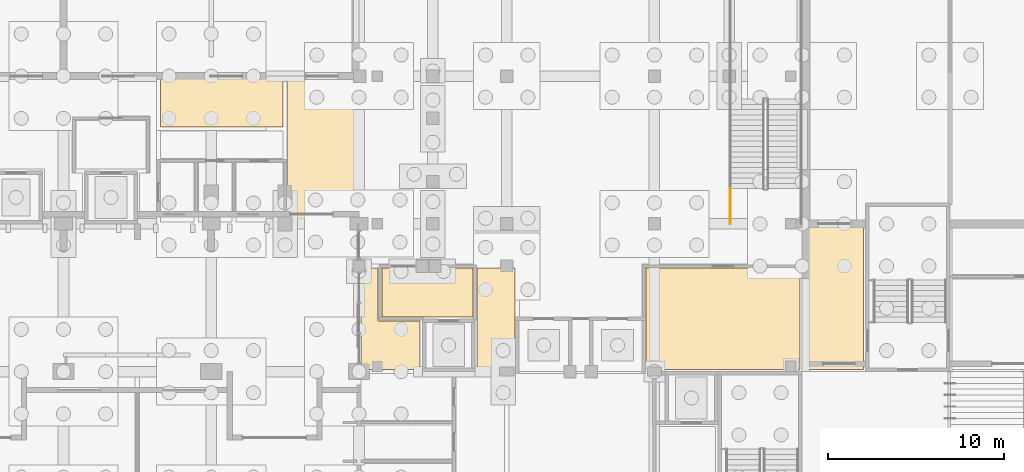
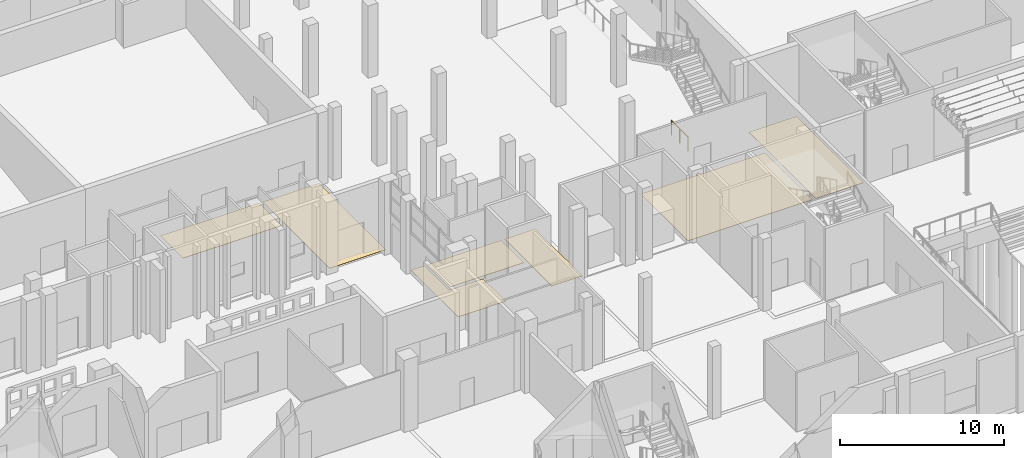
# One storey, part 108 of 129: 7 coverings, 1 railing.
"""IFC4 building model written with IfcOpenShell, lengths in metres."""

from ifc_helpers import new_model, si_unit, direction, frame, origin, origin_2d, place, context, subcontext, project, spatial, polyline, circle, outline, extrude, material, layer, layer_set, type_object, element, save


model = new_model("IFC4")

# Units and contexts
model_context = context("Model", 3, precision=1e-05, world=origin(), true_north=direction((0.0, 1.0)))
body_context = subcontext(model_context, "Body", "Model", "MODEL_VIEW")
ifc_project = project(units=[si_unit("LENGTHUNIT", "METRE"), si_unit("AREAUNIT", "SQUARE_METRE"), si_unit("VOLUMEUNIT", "CUBIC_METRE"), si_unit("PLANEANGLEUNIT", "RADIAN"), si_unit("MASSUNIT", "GRAM", prefix="KILO")], contexts=[model_context])

# Site, building, storey
site_placement = place(None, origin())
site = spatial("IfcSite", under=ifc_project, at=site_placement, CompositionType="ELEMENT")
building_placement = place(site_placement, origin())
building = spatial("IfcBuilding", under=site, at=building_placement, Name="Kiln Court Media Centre", CompositionType="ELEMENT")
storey_placement = place(building_placement, origin())
storey = spatial("IfcBuildingStorey", under=building, at=storey_placement, Name="L00", CompositionType="ELEMENT", Elevation=0.0)

# Coverings
ifc_material_1 = material(Name="Terrazzo")
ifc_layer = layer(ifc_material_1, 0.02490234375)
ifc_layer_set = layer_set([ifc_layer], Name="Polished terrazzo floor finish 25")
covering_type = type_object("IfcCoveringType", Name="Polished terrazzo floor finish 25", PredefinedType="FLOORING", material=ifc_layer_set)
covering_1_placement = place(storey_placement, origin())
element("IfcCovering", 1, at=covering_1_placement, inside=storey, type_object=covering_type, Name="Foyer Information and Court Lobby floor finish", PredefinedType="FLOORING", context=body_context, shape_type="SweptSolid", body=[
    extrude(outline(polyline([(37.080078125, 25.320068359375), (37.080078125, 28.080078125), (34.679931640625, 28.080078125), (34.679931640625, 31.080078125), (33.719970703125, 31.080078125), (33.719970703125, 25.320068359375), (37.080078125, 25.320068359375)])), origin(), (0.0, 0.0, 1.0), 0.02490234375),
])
covering_2_placement = place(storey_placement, origin())
element("IfcCovering", 2, at=covering_2_placement, inside=storey, type_object=covering_type, Name="Foyer Information Desk floor finish", PredefinedType="FLOORING", context=body_context, shape_type="SweptSolid", body=[
    extrude(outline(polyline([(40.320068359375, 25.320068359375), (42.47998046875, 25.320068359375), (42.47998046875, 31.080078125), (40.320068359375, 31.080078125), (40.320068359375, 25.320068359375)])), origin(), (0.0, 0.0, 1.0), 0.02490234375),
])
covering_3_placement = place(storey_placement, origin())
element("IfcCovering", 3, at=covering_3_placement, inside=storey, type_object=covering_type, Name="Ticketing Hall floor finish", PredefinedType="FLOORING", context=body_context, shape_type="SweptSolid", body=[
    extrude(outline(polyline([(49.919921875, 25.320068359375), (58.679931640625, 25.320068359375), (58.679931640625, 31.080078125), (49.919921875, 31.080078125), (49.919921875, 25.320068359375)])), origin(), (0.0, 0.0, 1.0), 0.02490234375),
])
covering_4_placement = place(storey_placement, origin())
element("IfcCovering", 4, at=covering_4_placement, inside=storey, type_object=covering_type, Name="Fire-fighting Lift Lobby floor finish", PredefinedType="FLOORING", context=body_context, shape_type="SweptSolid", body=[
    extrude(outline(polyline([(34.919921875, 28.320068359375), (40.080078125, 28.320068359375), (40.080078125, 31.080078125), (34.919921875, 31.080078125), (34.919921875, 28.320068359375)])), origin(), (0.0, 0.0, 1.0), 0.02490234375),
])
covering_5_placement = place(storey_placement, origin())
element("IfcCovering", 5, at=covering_5_placement, inside=storey, type_object=covering_type, Name="Foyer Link floor finish", PredefinedType="FLOORING", context=body_context, shape_type="SweptSolid", body=[
    extrude(outline(polyline([(58.919921875, 25.320068359375), (62.280029296875, 25.320068359375), (62.280029296875, 33.47998046875), (58.919921875, 33.47998046875), (58.919921875, 25.320068359375)])), origin(), (0.0, 0.0, 1.0), 0.02490234375),
])
covering_6_placement = place(storey_placement, origin())
element("IfcCovering", 6, at=covering_6_placement, inside=storey, type_object=covering_type, Name="Foyer Link floor finish", PredefinedType="FLOORING", context=body_context, shape_type="SweptSolid", body=[
    extrude(outline(polyline([(29.52001953125, 33.719970703125), (33.47998046875, 33.719970703125), (33.47998046875, 41.8798828125), (29.52001953125, 41.8798828125), (29.52001953125, 33.719970703125)])), origin(), (0.0, 0.0, 1.0), 0.02490234375),
])
covering_7_placement = place(storey_placement, origin())
element("IfcCovering", 7, at=covering_7_placement, inside=storey, type_object=covering_type, Name="Cinema Lobby floor finish", PredefinedType="FLOORING", context=body_context, shape_type="SweptSolid", body=[
    extrude(outline(polyline([(22.320068359375, 39.1201171875), (29.280029296875, 39.1201171875), (29.280029296875, 41.8798828125), (22.320068359375, 41.8798828125), (22.320068359375, 39.1201171875)])), origin(), (0.0, 0.0, 1.0), 0.02490234375),
])

# Railing
ifc_material_2 = material(Name="Steel S275", Category="steel")
railing_type = type_object("IfcRailingType", Name="Steel S275 stair guard 1100", PredefinedType="GUARDRAIL", material=ifc_material_2)
railing_placement = place(storey_placement, frame((54.699951171875, 33.60009765625, 0.0)))
element("IfcRailing", 8, at=railing_placement, inside=storey, type_object=railing_type, Name="ST-F1 stair guard", PredefinedType="GUARDRAIL", context=body_context, shape_type="SweptSolid", body=[
    extrude(circle(Radius=0.02392578125, at=origin_2d()), frame((0.0, 0.0, 1.076171875), z_axis=(0.0, 1.0, 0.0), x_axis=(-1.0, 0.0, 0.0)), (0.0, 0.0, 1.0), 2.0),
    extrude(circle(Radius=0.02099609375, at=origin_2d()), origin(), (0.0, 0.0, 1.0), 1.052001953125),
    extrude(circle(Radius=0.02099609375, at=origin_2d()), frame((0.0, 1.0, 0.0)), (0.0, 0.0, 1.0), 1.052001953125),
    extrude(circle(Radius=0.02099609375, at=origin_2d()), frame((0.0, 2.0, 0.0)), (0.0, 0.0, 1.0), 1.052001953125),
])

save(model, "model.ifc")
